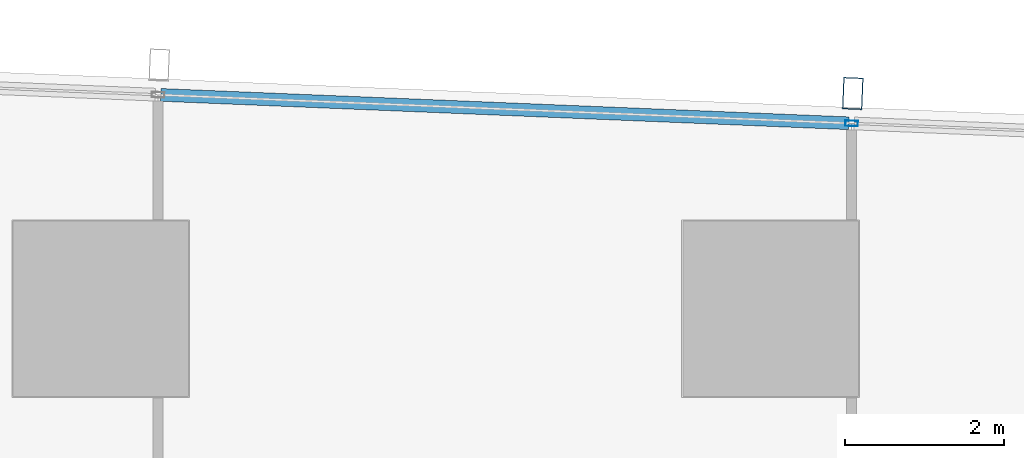
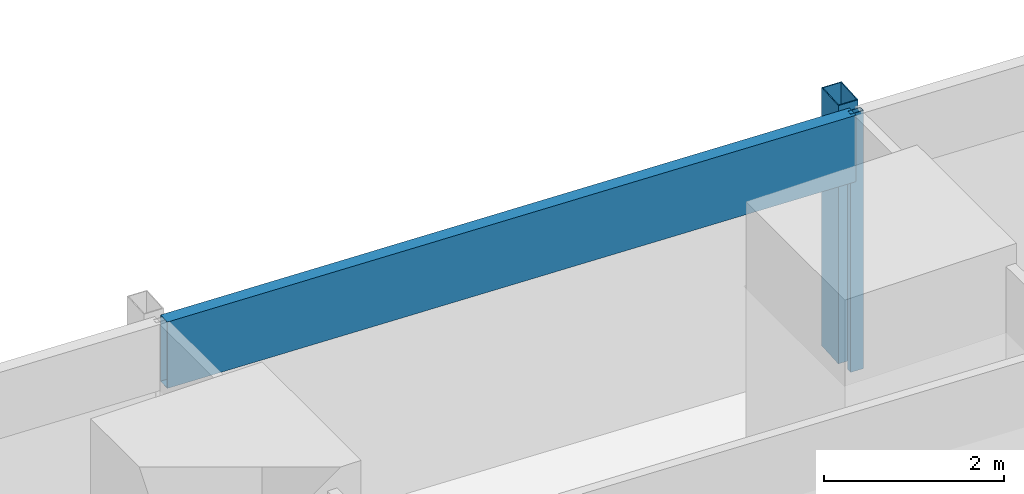
# One storey, part 22 of 44: 3 members, 1 element without a shape of its own.
"""IFC4 building model written with IfcOpenShell, lengths in metres."""

from ifc_helpers import new_model, si_unit, direction, frame, origin, origin_2d, place, context, subcontext, project, spatial, hollow_rectangle, extrude, material, material_profile, profile_set, type_object, element, aggregate, save


model = new_model("IFC4")

# Units and contexts
model_context = context("Model", 3, precision=1e-05, world=origin(), true_north=direction((0.0, 1.0)))
body_context = subcontext(model_context, "Body", "Model", "MODEL_VIEW")
ifc_project = project(units=[si_unit("LENGTHUNIT", "METRE"), si_unit("AREAUNIT", "SQUARE_METRE"), si_unit("VOLUMEUNIT", "CUBIC_METRE"), si_unit("PLANEANGLEUNIT", "RADIAN"), si_unit("MASSUNIT", "GRAM", prefix="KILO")], contexts=[model_context])

# Site, building, storey
site_placement = place(None, origin())
site = spatial("IfcSite", under=ifc_project, at=site_placement, CompositionType="ELEMENT")
building_placement = place(site_placement, origin())
building = spatial("IfcBuilding", under=site, at=building_placement, Name="Rekha Terrace Tower", CompositionType="ELEMENT")
storey_placement = place(building_placement, frame((0.0, 0.0, 62.89990234375)))
storey = spatial("IfcBuildingStorey", under=building, at=storey_placement, Name="L15", CompositionType="ELEMENT", Elevation=62.89990234375)

# Curtain wall, members
ifc_material_1 = material(Name="Aluminium framing", Category="aluminium")
curtain_wall_type = type_object("IfcCurtainWallType", Name="CW3 north unitised glazing", PredefinedType="USERDEFINED", material=ifc_material_1)
curtain_wall_placement = place(storey_placement, origin())
curtain_wall = element("IfcCurtainWall", 1, at=curtain_wall_placement, inside=storey, type_object=curtain_wall_type, Name="CW3 unitised curtain wall", ObjectType="UNITISED CURTAIN WALL", PredefinedType="USERDEFINED")
ifc_material_2 = material(Name="Steel S355 with fluorocarbon finish", Category="steel")
ifc_material_profile_1 = material_profile(ifc_material_2, hollow_rectangle(XDim=0.25, YDim=0.39990234375, WallThickness=0.012451171875, at=origin_2d()), Name="RHS400x250x12.5")
ifc_profile_set_1 = profile_set([ifc_material_profile_1], Name="Steel S355 with fluorocarbon finish")
member_type_1 = type_object("IfcMemberType", Name="BL1 facade blade RHS 400 x 250", PredefinedType="USERDEFINED", material=ifc_profile_set_1)
member_1_placement = place(storey_placement, frame((51.430419921875, 61.499267578125, 0.0), z_axis=(0.0, 0.0, 1.0), x_axis=(-0.99915196507, 0.041174636562, 0.0)))
member_1 = element("IfcMember", 2, at=member_1_placement, type_object=member_type_1, Name="Facade blade", ObjectType="FACADE BLADE", PredefinedType="USERDEFINED", context=body_context, shape_type="SweptSolid", body=[
    extrude(hollow_rectangle(XDim=0.25, YDim=0.39990234375, WallThickness=0.012451171875, at=origin_2d()), origin(), (0.0, 0.0, 1.0), 3.5),
])
ifc_material_3 = material(Name="Aluminium mullion section", Category="aluminium")
ifc_material_profile_2 = material_profile(ifc_material_3, hollow_rectangle(XDim=0.070068359375, YDim=0.159912109375, WallThickness=0.00390625, at=origin_2d()), Name="AL RHS 70x160")
ifc_profile_set_2 = profile_set([ifc_material_profile_2], Name="Aluminium mullion section")
member_type_2 = type_object("IfcMemberType", Name="CW3 mullion RHS 70 x 160", PredefinedType="MULLION", material=ifc_profile_set_2)
member_2_placement = place(storey_placement, frame((51.4150390625, 61.12451171875, 0.0), z_axis=(0.0, 0.0, 1.0), x_axis=(-0.041173846041, -0.999151997647, 0.0)))
member_2 = element("IfcMember", 3, at=member_2_placement, type_object=member_type_2, Name="CW3 mullion 3", PredefinedType="MULLION", context=body_context, shape_type="SweptSolid", body=[
    extrude(hollow_rectangle(XDim=0.070068359375, YDim=0.159912109375, WallThickness=0.00390625, at=origin_2d()), origin(), (0.0, 0.0, 1.0), 3.5),
])
ifc_material_4 = material(Name="Insulated aluminium spandrel box", Category="aluminium")
ifc_material_profile_3 = material_profile(ifc_material_4, hollow_rectangle(XDim=0.159912109375, YDim=0.89990234375, WallThickness=0.0029296875, at=origin_2d()), Name="AL SPANDREL BOX 160x900")
ifc_profile_set_3 = profile_set([ifc_material_profile_3], Name="Insulated aluminium spandrel box")
member_type_3 = type_object("IfcMemberType", Name="CW3 spandrel transom 160 x 900", PredefinedType="USERDEFINED", material=ifc_profile_set_3)
member_3_placement = place(storey_placement, frame((51.380126953125, 61.1259765625, 3.050048828125), z_axis=(-0.999152128669, 0.041170666459, 0.0), x_axis=(-0.041170666459, -0.999152128669, 0.0)))
member_3 = element("IfcMember", 4, at=member_3_placement, type_object=member_type_3, Name="CW3 spandrel transom 3", ObjectType="TRANSOM", PredefinedType="USERDEFINED", context=body_context, shape_type="SweptSolid", body=[
    extrude(hollow_rectangle(XDim=0.159912109375, YDim=0.89990234375, WallThickness=0.0029296875, at=origin_2d()), origin(), (0.0, 0.0, 1.0), 8.634033203125),
])
aggregate(curtain_wall, [member_2, member_3, member_1])

save(model, "model.ifc")
